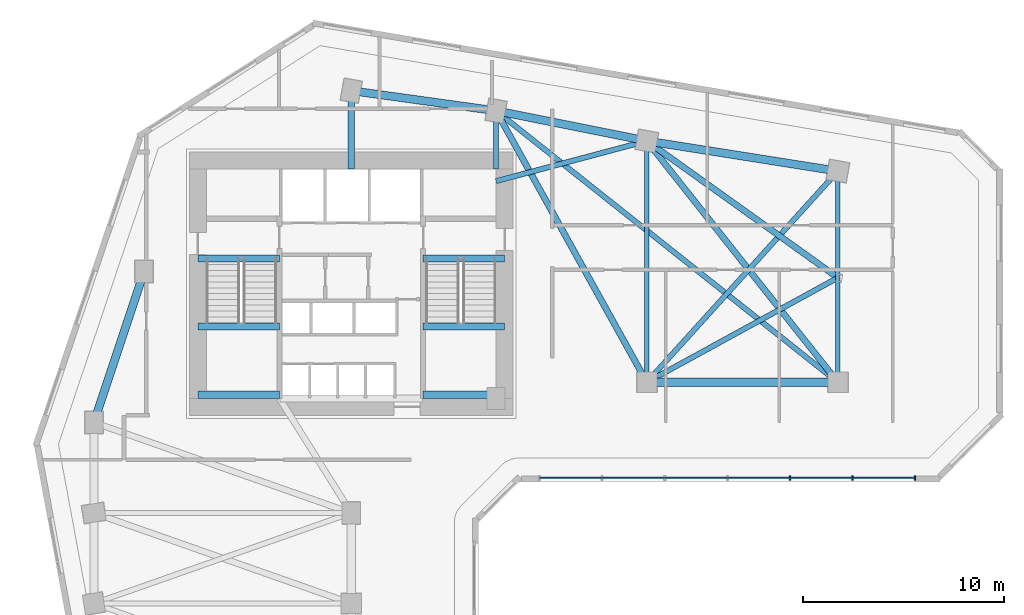
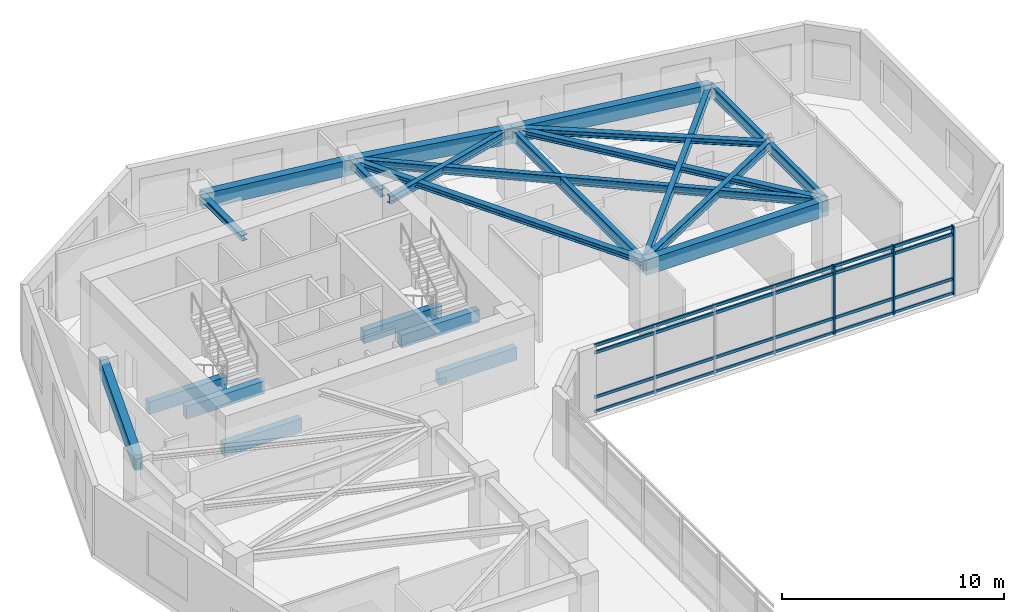
# One storey, part 3 of 9: 22 beams, 7 members, 1 element without a shape of its own.
"""IFC4 building model written with IfcOpenShell, lengths in metres."""

from ifc_helpers import new_model, si_unit, direction, frame, origin, origin_2d, place, context, subcontext, project, spatial, rectangle, i_section, extrude, source, transform, mapped, material, material_profile, profile_set, type_object, element, aggregate, save


model = new_model("IFC4")

# Units and contexts
model_context = context("Model", 3, precision=1e-05, world=origin(), true_north=direction((0.0, 1.0)))
body_context = subcontext(model_context, "Body", "Model", "MODEL_VIEW")
ifc_project = project(units=[si_unit("LENGTHUNIT", "METRE"), si_unit("AREAUNIT", "SQUARE_METRE"), si_unit("VOLUMEUNIT", "CUBIC_METRE"), si_unit("PLANEANGLEUNIT", "RADIAN"), si_unit("MASSUNIT", "GRAM", prefix="KILO")], contexts=[model_context])

# Site, building, storey
site_placement = place(None, origin())
site = spatial("IfcSite", under=ifc_project, at=site_placement, CompositionType="ELEMENT")
building_placement = place(site_placement, origin())
building = spatial("IfcBuilding", under=site, at=building_placement, Name="Calvemar Wedge Station Tower", CompositionType="ELEMENT")
storey_placement = place(building_placement, frame((0.0, 0.0, 71.0)))
storey = spatial("IfcBuildingStorey", under=building, at=storey_placement, Name="L17", CompositionType="ELEMENT", Elevation=71.0)

# Beams
ifc_material_1 = material(Name="Concrete C70", Category="concrete")
ifc_material_profile_1 = material_profile(ifc_material_1, rectangle(XDim=0.35009765625, YDim=0.699951171875, at=origin_2d()), Name="RC350x700")
ifc_profile_set_1 = profile_set([ifc_material_profile_1], Name="Concrete C70")
beam_type_1 = type_object("IfcBeamType", Name="BM-LN1-700", PredefinedType="LINTEL", material=ifc_profile_set_1)
shared_shape_1 = source(origin(), body_context, "Body", "SweptSolid", [
    extrude(rectangle(XDim=0.35009765625, YDim=0.699951171875, at=origin_2d()), origin(), (0.0, 0.0, 1.0), 4.054931640625),
])
for number, where, z_axis, x_axis, name in (
    (1, (16.175048828125, 41.14990234375, -0.35009765625), (1.0, 0.0, 0.0), (0.0, 1.0, 0.0), "Storey L17 Stair ST-C1 Landing Trimmer Beam"),
    (2, (27.3701171875, 41.14990234375, -0.35009765625), (1.0, 0.0, 0.0), (0.0, 1.0, 0.0), "Storey L17 Stair ST-C2 Landing Trimmer Beam"),
    (3, (16.175048828125, 34.3798828125, 1.449951171875), (1.0, 0.0, 0.0), (0.0, 1.0, 0.0), "Storey L17 Stair ST-C1 Half-Landing Beam 1A"),
    (4, (16.175048828125, 37.780029296875, 1.449951171875), (1.0, 0.0, 0.0), (0.0, 1.0, 0.0), "Storey L17 Stair ST-C1 Half-Landing Beam 1B"),
    (5, (27.3701171875, 34.3798828125, 1.449951171875), (1.0, 0.0, 0.0), (0.0, 1.0, 0.0), "Storey L17 Stair ST-C2 Half-Landing Beam 1A"),
    (6, (27.3701171875, 37.780029296875, 1.449951171875), (1.0, 0.0, 0.0), (0.0, 1.0, 0.0), "Storey L17 Stair ST-C2 Half-Landing Beam 1B"),
):
    element("IfcBeam", number, at=place(storey_placement, frame(where, z_axis=z_axis, x_axis=x_axis)), inside=storey, type_object=beam_type_1, Name=name, PredefinedType="LINTEL", context=body_context, shape_type="MappedRepresentation", body=[
        mapped(shared_shape_1, transform((0.0, 0.0, 0.0), scale=1.0)),
    ])
ifc_material_2 = material(Name="Concrete C60", Category="concrete")
ifc_material_profile_2 = material_profile(ifc_material_2, rectangle(XDim=0.39990234375, YDim=0.85009765625, at=origin_2d()), Name="RC400x850")
ifc_profile_set_2 = profile_set([ifc_material_profile_2], Name="Concrete C60")
beam_type_2 = type_object("IfcBeamType", Name="BM-SP1-850", PredefinedType="SPANDREL", material=ifc_profile_set_2)
shared_shape_2 = source(origin(), body_context, "Body", "SweptSolid", [
    extrude(rectangle(XDim=0.39990234375, YDim=0.85009765625, at=origin_2d()), origin(), (0.0, 0.0, 1.0), 7.90576171875),
])
beam_1_placement = place(storey_placement, frame((11.0, 33.0, 3.324951171875), z_axis=(0.316227766017, 0.948683298051, 0.0), x_axis=(-0.948683298051, 0.316227766017, 0.0)))
element("IfcBeam", 7, at=beam_1_placement, inside=storey, type_object=beam_type_2, Name="Storey L17 Spandrel T-NW1-T-NW2", PredefinedType="SPANDREL", context=body_context, shape_type="MappedRepresentation", body=[
    mapped(shared_shape_2, transform((0.0, 0.0, 0.0), scale=1.0)),
])
shared_shape_3 = source(origin(), body_context, "Body", "SweptSolid", [
    extrude(rectangle(XDim=0.39990234375, YDim=0.85009765625, at=origin_2d()), origin(), (0.0, 0.0, 1.0), 7.26904296875),
])
beam_2_placement = place(storey_placement, frame((23.800048828125, 49.5, 3.324951171875), z_axis=(0.990492146053, -0.13756928657, 0.0), x_axis=(0.13756928657, 0.990492146053, 0.0)))
element("IfcBeam", 8, at=beam_2_placement, inside=storey, type_object=beam_type_2, Name="Storey L17 Spandrel T-N1-T-N2", PredefinedType="SPANDREL", context=body_context, shape_type="MappedRepresentation", body=[
    mapped(shared_shape_3, transform((0.0, 0.0, 0.0), scale=1.0)),
])
shared_shape_4 = source(origin(), body_context, "Body", "SweptSolid", [
    extrude(rectangle(XDim=0.39990234375, YDim=0.85009765625, at=origin_2d()), origin(), (0.0, 0.0, 1.0), 7.6484375),
])
beam_3_placement = place(storey_placement, frame((31.0, 48.5, 3.324951171875), z_axis=(0.980580675691, -0.196116135138, 0.0), x_axis=(0.196116135138, 0.980580675691, 0.0)))
element("IfcBeam", 9, at=beam_3_placement, inside=storey, type_object=beam_type_2, Name="Storey L17 Spandrel T-N2-T-NU3", PredefinedType="SPANDREL", context=body_context, shape_type="MappedRepresentation", body=[
    mapped(shared_shape_4, transform((0.0, 0.0, 0.0), scale=1.0)),
])
shared_shape_5 = source(origin(), body_context, "Body", "SweptSolid", [
    extrude(rectangle(XDim=0.39990234375, YDim=0.85009765625, at=origin_2d()), origin(), (0.0, 0.0, 1.0), 9.61767578125),
])
beam_4_placement = place(storey_placement, frame((38.5, 47.0, 3.324951171875), z_axis=(0.987762965329, -0.155962573473, 0.0), x_axis=(0.155962573473, 0.987762965329, 0.0)))
element("IfcBeam", 10, at=beam_4_placement, inside=storey, type_object=beam_type_2, Name="Storey L17 Spandrel T-NU3-T-NU4", PredefinedType="SPANDREL", context=body_context, shape_type="MappedRepresentation", body=[
    mapped(shared_shape_5, transform((0.0, 0.0, 0.0), scale=1.0)),
])
shared_shape_6 = source(origin(), body_context, "Body", "SweptSolid", [
    extrude(rectangle(XDim=0.39990234375, YDim=0.85009765625, at=origin_2d()), origin(), (0.0, 0.0, 1.0), 9.5),
])
beam_5_placement = place(storey_placement, frame((38.5, 35.0, 3.324951171875), z_axis=(1.0, 0.0, 0.0), x_axis=(0.0, 1.0, 0.0)))
element("IfcBeam", 11, at=beam_5_placement, inside=storey, type_object=beam_type_2, Name="Storey L17 Spandrel T-NL2-T-NL3", PredefinedType="SPANDREL", context=body_context, shape_type="MappedRepresentation", body=[
    mapped(shared_shape_6, transform((0.0, 0.0, 0.0), scale=1.0)),
])
ifc_material_3 = material(Name="Structural steel ASTM A572 Grade 50", Category="steel")
ifc_material_profile_3 = material_profile(ifc_material_3, i_section(OverallWidth=0.22998046875, OverallDepth=0.616943359375, WebThickness=0.01318359375, FlangeThickness=0.022216796875, FilletRadius=0.012939453125, at=origin_2d()), Name="W610x140")
ifc_profile_set_3 = profile_set([ifc_material_profile_3], Name="Structural steel ASTM A572 Grade 50")
beam_type_3 = type_object("IfcBeamType", Name="BM-SB2-W610", PredefinedType="BEAM", material=ifc_profile_set_3)
shared_shape_7 = source(origin(), body_context, "Body", "SweptSolid", [
    extrude(i_section(OverallWidth=0.22998046875, OverallDepth=0.616943359375, WebThickness=0.01318359375, FlangeThickness=0.022216796875, FilletRadius=0.012939453125, at=origin_2d()), origin(), (0.0, 0.0, 1.0), 12.0),
])
beam_6_placement = place(storey_placement, frame((38.5, 47.0, 3.44140625), z_axis=(0.0, -1.0, 0.0), x_axis=(1.0, 0.0, 0.0)))
element("IfcBeam", 12, at=beam_6_placement, inside=storey, type_object=beam_type_3, Name="Storey L17 Floor Beam T-NU3-T-NL2", PredefinedType="BEAM", context=body_context, shape_type="MappedRepresentation", body=[
    mapped(shared_shape_7, transform((0.0, 0.0, 0.0), scale=1.0)),
])
shared_shape_8 = source(origin(), body_context, "Body", "SweptSolid", [
    extrude(i_section(OverallWidth=0.22998046875, OverallDepth=0.616943359375, WebThickness=0.01318359375, FlangeThickness=0.022216796875, FilletRadius=0.012939453125, at=origin_2d()), origin(), (0.0, 0.0, 1.0), 10.5),
])
beam_7_placement = place(storey_placement, frame((48.0, 45.5, 3.44140625), z_axis=(0.0, -1.0, 0.0), x_axis=(1.0, 0.0, 0.0)))
element("IfcBeam", 13, at=beam_7_placement, inside=storey, type_object=beam_type_3, Name="Storey L17 Floor Beam T-NU4-T-NL3", PredefinedType="BEAM", context=body_context, shape_type="MappedRepresentation", body=[
    mapped(shared_shape_8, transform((0.0, 0.0, 0.0), scale=1.0)),
])
ifc_material_profile_4 = material_profile(ifc_material_3, i_section(OverallWidth=0.304931640625, OverallDepth=0.30810546875, WebThickness=0.010009765625, FlangeThickness=0.015380859375, FilletRadius=0.014892578125, at=origin_2d()), Name="W310x97")
ifc_profile_set_4 = profile_set([ifc_material_profile_4], Name="Structural steel ASTM A572 Grade 50")
beam_type_4 = type_object("IfcBeamType", Name="BM-J6-W310", PredefinedType="JOIST", material=ifc_profile_set_4)
shared_shape_9 = source(origin(), body_context, "Body", "SweptSolid", [
    extrude(i_section(OverallWidth=0.304931640625, OverallDepth=0.30810546875, WebThickness=0.010009765625, FlangeThickness=0.015380859375, FilletRadius=0.014892578125, at=origin_2d()), origin(), (0.0, 0.0, 1.0), 15.443359375),
])
beam_8_placement = place(storey_placement, frame((31.0, 48.5, 3.595947265625), z_axis=(0.485642931179, -0.874157276122, 0.0), x_axis=(0.874157276122, 0.485642931179, 0.0)))
element("IfcBeam", 14, at=beam_8_placement, inside=storey, type_object=beam_type_4, Name="Storey L17 Floor Beam T-N2-T-NL2", PredefinedType="JOIST", context=body_context, shape_type="MappedRepresentation", body=[
    mapped(shared_shape_9, transform((0.0, 0.0, 0.0), scale=1.0)),
])
ifc_material_profile_5 = material_profile(ifc_material_3, i_section(OverallWidth=0.260986328125, OverallDepth=0.419921875, WebThickness=0.01171875, FlangeThickness=0.019287109375, FilletRadius=0.012939453125, at=origin_2d()), Name="W410x114")
ifc_profile_set_5 = profile_set([ifc_material_profile_5], Name="Structural steel ASTM A572 Grade 50")
beam_type_5 = type_object("IfcBeamType", Name="BM-J2-W410H", PredefinedType="JOIST", material=ifc_profile_set_5)
shared_shape_10 = source(origin(), body_context, "Body", "SweptSolid", [
    extrude(i_section(OverallWidth=0.260986328125, OverallDepth=0.419921875, WebThickness=0.01171875, FlangeThickness=0.019287109375, FilletRadius=0.012939453125, at=origin_2d()), origin(), (0.0, 0.0, 1.0), 21.708251953125),
])
beam_9_placement = place(storey_placement, frame((31.0, 48.5, 3.5400390625), z_axis=(0.783110847498, -0.621882143602, 0.0), x_axis=(0.621882143602, 0.783110847498, 0.0)))
element("IfcBeam", 15, at=beam_9_placement, inside=storey, type_object=beam_type_5, Name="Storey L17 Floor Beam T-N2-T-NL3", PredefinedType="JOIST", context=body_context, shape_type="MappedRepresentation", body=[
    mapped(shared_shape_10, transform((0.0, 0.0, 0.0), scale=1.0)),
])
shared_shape_11 = source(origin(), body_context, "Body", "SweptSolid", [
    extrude(i_section(OverallWidth=0.304931640625, OverallDepth=0.30810546875, WebThickness=0.010009765625, FlangeThickness=0.015380859375, FilletRadius=0.014892578125, at=origin_2d()), origin(), (0.0, 0.0, 1.0), 15.30517578125),
])
beam_10_placement = place(storey_placement, frame((38.5, 47.0, 3.595947265625), z_axis=(0.620702944366, -0.784045824462, 0.0), x_axis=(0.784045824462, 0.620702944366, 0.0)))
element("IfcBeam", 16, at=beam_10_placement, inside=storey, type_object=beam_type_4, Name="Storey L17 Floor Beam T-NU3-T-NL3", PredefinedType="JOIST", context=body_context, shape_type="MappedRepresentation", body=[
    mapped(shared_shape_11, transform((0.0, 0.0, 0.0), scale=1.0)),
])
shared_shape_12 = source(origin(), body_context, "Body", "SweptSolid", [
    extrude(i_section(OverallWidth=0.260986328125, OverallDepth=0.419921875, WebThickness=0.01171875, FlangeThickness=0.019287109375, FilletRadius=0.012939453125, at=origin_2d()), origin(), (0.0, 0.0, 1.0), 14.159912109375),
])
beam_11_placement = place(storey_placement, frame((38.5, 35.0, 3.5400390625), z_axis=(0.670913323969, 0.741535779124, 0.0), x_axis=(-0.741535779124, 0.670913323969, 0.0)))
element("IfcBeam", 17, at=beam_11_placement, inside=storey, type_object=beam_type_5, Name="Storey L17 Floor Beam T-NL2-T-NU4", PredefinedType="JOIST", context=body_context, shape_type="MappedRepresentation", body=[
    mapped(shared_shape_12, transform((0.0, 0.0, 0.0), scale=1.0)),
])
shared_shape_13 = source(origin(), body_context, "Body", "SweptSolid", [
    extrude(i_section(OverallWidth=0.304931640625, OverallDepth=0.30810546875, WebThickness=0.010009765625, FlangeThickness=0.015380859375, FilletRadius=0.014892578125, at=origin_2d()), origin(), (0.0, 0.0, 1.0), 11.682861328125),
])
beam_12_placement = place(storey_placement, frame((48.0, 40.199951171875, 3.595947265625), z_axis=(-0.81315274409, 0.582050354161, 0.0), x_axis=(-0.582050354161, -0.81315274409, 0.0)))
element("IfcBeam", 18, at=beam_12_placement, inside=storey, type_object=beam_type_4, Name="Storey L17 Floor Beam T-NTIP-A-T-NU3", PredefinedType="JOIST", context=body_context, shape_type="MappedRepresentation", body=[
    mapped(shared_shape_13, transform((0.0, 0.0, 0.0), scale=1.0)),
])
shared_shape_14 = source(origin(), body_context, "Body", "SweptSolid", [
    extrude(i_section(OverallWidth=0.260986328125, OverallDepth=0.419921875, WebThickness=0.01171875, FlangeThickness=0.019287109375, FilletRadius=0.012939453125, at=origin_2d()), origin(), (0.0, 0.0, 1.0), 10.830078125),
])
beam_13_placement = place(storey_placement, frame((48.0, 40.199951171875, 3.5400390625), z_axis=(-0.877190767997, -0.480142017053, 0.0), x_axis=(0.480142017053, -0.877190767997, 0.0)))
element("IfcBeam", 19, at=beam_13_placement, inside=storey, type_object=beam_type_5, Name="Storey L17 Floor Beam T-NTIP-A-T-NL2", PredefinedType="JOIST", context=body_context, shape_type="MappedRepresentation", body=[
    mapped(shared_shape_14, transform((0.0, 0.0, 0.0), scale=1.0)),
])
shared_shape_15 = source(origin(), body_context, "Body", "SweptSolid", [
    extrude(i_section(OverallWidth=0.260986328125, OverallDepth=0.419921875, WebThickness=0.01171875, FlangeThickness=0.019287109375, FilletRadius=0.012939453125, at=origin_2d()), origin(), (0.0, 0.0, 1.0), 7.76220703125),
])
beam_14_placement = place(storey_placement, frame((31.0, 45.0, 3.5400390625), z_axis=(0.966234939601, 0.25766265056, 0.0), x_axis=(-0.25766265056, 0.966234939601, 0.0)))
element("IfcBeam", 20, at=beam_14_placement, inside=storey, type_object=beam_type_5, Name="Storey L17 Core-to-Column Joist CJ-E2", PredefinedType="JOIST", context=body_context, shape_type="MappedRepresentation", body=[
    mapped(shared_shape_15, transform((0.0, 0.0, 0.0), scale=1.0)),
])
shared_shape_16 = source(origin(), body_context, "Body", "SweptSolid", [
    extrude(i_section(OverallWidth=0.304931640625, OverallDepth=0.30810546875, WebThickness=0.010009765625, FlangeThickness=0.015380859375, FilletRadius=0.014892578125, at=origin_2d()), origin(), (0.0, 0.0, 1.0), 3.89990234375),
])
beam_15_placement = place(storey_placement, frame((23.800048828125, 45.60009765625, 3.595947265625), z_axis=(0.0, 1.0, 0.0), x_axis=(-1.0, 0.0, 0.0)))
element("IfcBeam", 21, at=beam_15_placement, inside=storey, type_object=beam_type_4, Name="Storey L17 Core-to-Column Joist CJ-N1", PredefinedType="JOIST", context=body_context, shape_type="MappedRepresentation", body=[
    mapped(shared_shape_16, transform((0.0, 0.0, 0.0), scale=1.0)),
])
shared_shape_17 = source(origin(), body_context, "Body", "SweptSolid", [
    extrude(i_section(OverallWidth=0.260986328125, OverallDepth=0.419921875, WebThickness=0.01171875, FlangeThickness=0.019287109375, FilletRadius=0.012939453125, at=origin_2d()), origin(), (0.0, 0.0, 1.0), 2.89990234375),
])
beam_16_placement = place(storey_placement, frame((31.0, 45.60009765625, 3.5400390625), z_axis=(0.0, 1.0, 0.0), x_axis=(-1.0, 0.0, 0.0)))
element("IfcBeam", 22, at=beam_16_placement, inside=storey, type_object=beam_type_5, Name="Storey L17 Core-to-Column Joist CJ-N2", PredefinedType="JOIST", context=body_context, shape_type="MappedRepresentation", body=[
    mapped(shared_shape_17, transform((0.0, 0.0, 0.0), scale=1.0)),
])

# Curtain wall, members
ifc_material_4 = material(Name="Anodised aluminium 6063-T6", Category="aluminium")
curtain_wall_type = type_object("IfcCurtainWallType", Name="CW1", PredefinedType="NOTDEFINED", material=ifc_material_4)
curtain_wall_placement = place(storey_placement, origin())
curtain_wall = element("IfcCurtainWall", 23, at=curtain_wall_placement, inside=storey, type_object=curtain_wall_type, Name="Storey L17 CW1 Recessed Unitised Curtain Wall 6", PredefinedType="NOTDEFINED")
ifc_material_profile_6 = material_profile(ifc_material_4, rectangle(XDim=0.080078125, YDim=0.219970703125, at=origin_2d()), Name="AL-MUL-80x220")
ifc_profile_set_6 = profile_set([ifc_material_profile_6], Name="Anodised aluminium 6063-T6")
member_type_1 = type_object("IfcMemberType", Name="CW1-MUL", PredefinedType="MULLION", material=ifc_profile_set_6)
shared_shape_18 = source(origin(), body_context, "Body", "SweptSolid", [
    extrude(rectangle(XDim=0.080078125, YDim=0.219970703125, at=origin_2d()), origin(), (0.0, 0.0, 1.0), 3.800048828125),
])
member_1_placement = place(storey_placement, frame((45.614013671875, 30.238037109375, -0.050048828125), z_axis=(0.0, 0.0, 1.0), x_axis=(1.0, 0.0, 0.0)))
member_1 = element("IfcMember", 24, at=member_1_placement, type_object=member_type_1, Name="CW1 mullion 5", PredefinedType="MULLION", context=body_context, shape_type="MappedRepresentation", body=[
    mapped(shared_shape_18, transform((0.0, 0.0, 0.0), scale=1.0)),
])
member_2_placement = place(storey_placement, frame((48.725830078125, 30.238037109375, -0.050048828125), z_axis=(0.0, 0.0, 1.0), x_axis=(1.0, 0.0, 0.0)))
member_2 = element("IfcMember", 25, at=member_2_placement, type_object=member_type_1, Name="CW1 mullion 6", PredefinedType="MULLION", context=body_context, shape_type="MappedRepresentation", body=[
    mapped(shared_shape_18, transform((0.0, 0.0, 0.0), scale=1.0)),
])
member_3_placement = place(storey_placement, frame((51.837890625, 30.238037109375, -0.050048828125), z_axis=(0.0, 0.0, 1.0), x_axis=(1.0, 0.0, 0.0)))
member_3 = element("IfcMember", 26, at=member_3_placement, type_object=member_type_1, Name="CW1 mullion 7", PredefinedType="MULLION", context=body_context, shape_type="MappedRepresentation", body=[
    mapped(shared_shape_18, transform((0.0, 0.0, 0.0), scale=1.0)),
])
ifc_material_profile_7 = material_profile(ifc_material_4, rectangle(XDim=0.080078125, YDim=0.159912109375, at=origin_2d()), Name="AL-TRN-80x160")
ifc_profile_set_7 = profile_set([ifc_material_profile_7], Name="Anodised aluminium 6063-T6")
member_type_2 = type_object("IfcMemberType", Name="CW1-TRN", PredefinedType="USERDEFINED", material=ifc_profile_set_7)
shared_shape_19 = source(origin(), body_context, "Body", "SweptSolid", [
    extrude(rectangle(XDim=0.080078125, YDim=0.159912109375, at=origin_2d()), origin(), (0.0, 0.0, 1.0), 18.671875),
])
member_4_placement = place(storey_placement, frame((33.166015625, 30.238037109375, 0.06005859375), z_axis=(1.0, 0.0, 0.0), x_axis=(0.0, 1.0, 0.0)))
member_4 = element("IfcMember", 27, at=member_4_placement, type_object=member_type_2, Name="CW1 transom 1", ObjectType="TRANSOM", PredefinedType="USERDEFINED", context=body_context, shape_type="MappedRepresentation", body=[
    mapped(shared_shape_19, transform((0.0, 0.0, 0.0), scale=1.0)),
])
member_5_placement = place(storey_placement, frame((33.166015625, 30.238037109375, 0.85009765625), z_axis=(1.0, 0.0, 0.0), x_axis=(0.0, 1.0, 0.0)))
member_5 = element("IfcMember", 28, at=member_5_placement, type_object=member_type_2, Name="CW1 transom 2", ObjectType="TRANSOM", PredefinedType="USERDEFINED", context=body_context, shape_type="MappedRepresentation", body=[
    mapped(shared_shape_19, transform((0.0, 0.0, 0.0), scale=1.0)),
])
member_6_placement = place(storey_placement, frame((33.166015625, 30.238037109375, 3.300048828125), z_axis=(1.0, 0.0, 0.0), x_axis=(0.0, 1.0, 0.0)))
member_6 = element("IfcMember", 29, at=member_6_placement, type_object=member_type_2, Name="CW1 transom 3", ObjectType="TRANSOM", PredefinedType="USERDEFINED", context=body_context, shape_type="MappedRepresentation", body=[
    mapped(shared_shape_19, transform((0.0, 0.0, 0.0), scale=1.0)),
])
member_7_placement = place(storey_placement, frame((33.166015625, 30.238037109375, 3.68994140625), z_axis=(1.0, 0.0, 0.0), x_axis=(0.0, 1.0, 0.0)))
member_7 = element("IfcMember", 30, at=member_7_placement, type_object=member_type_2, Name="CW1 transom 4", ObjectType="TRANSOM", PredefinedType="USERDEFINED", context=body_context, shape_type="MappedRepresentation", body=[
    mapped(shared_shape_19, transform((0.0, 0.0, 0.0), scale=1.0)),
])
aggregate(curtain_wall, [member_1, member_2, member_3, member_4, member_5, member_6, member_7])

save(model, "model.ifc")
